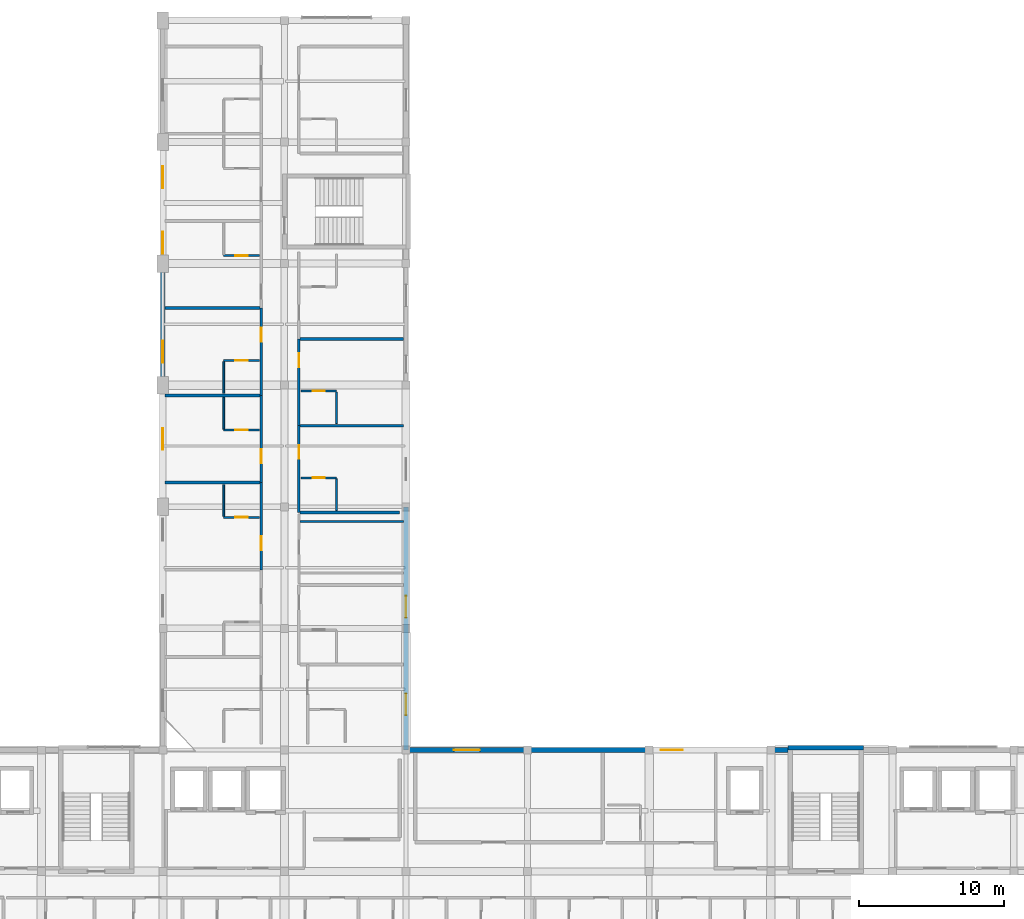
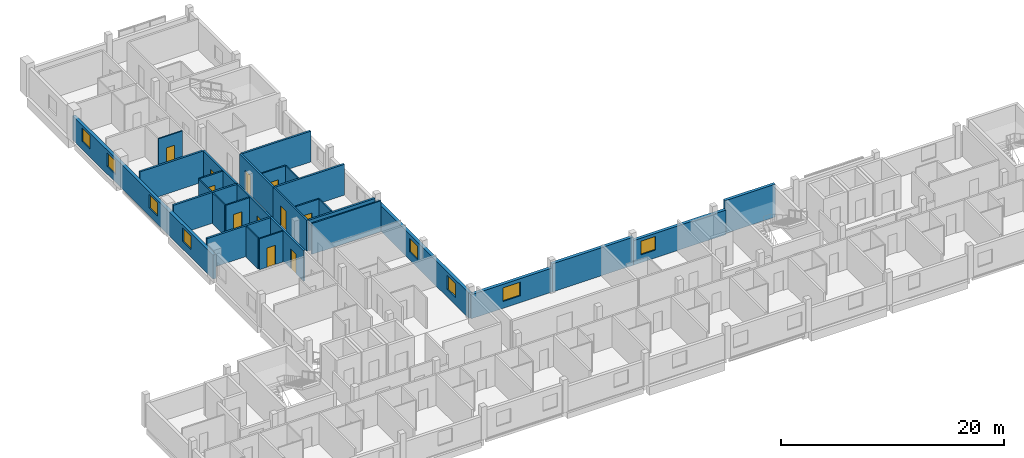
# One storey, part 13 of 20: 29 walls, 11 doors, 8 windows, 19 openings.
"""IFC4 building model written with IfcOpenShell, lengths in metres."""

import ifcopenshell
import ifcopenshell.guid

model = None  # the IFC model being written
_history = None  # IfcOwnerHistory: only IFC2X3 demands one
_inside = {}  # id of a spatial element -> (the spatial element, [elements in it])
_under = {}  # id of a project, library or spatial element -> (it, [spatial elements below it])
_declared = {}  # id of a project -> (the project, [libraries it declares])
_typed = {}  # id of a type object -> (the type object, [elements of that type])
_made_of = {}  # id of a material, layer set ... -> (it, [elements and type objects made of it])


def new_model(schema):
    """Start an empty IFC model of exactly this schema.

    Asked for "IFC4X3", IfcOpenShell would pick the latest addendum, in which some entities
    have other attributes; the version numbers below select the first issue.
    IFC2X3 requires an IfcOwnerHistory on every rooted entity: one is made here for all.
    """
    global model, _history
    if schema == "IFC4X3":
        model = ifcopenshell.file(schema_version=(4, 3, 0, 0))
    else:
        model = ifcopenshell.file(schema=schema)
    _inside.clear()
    _under.clear()
    _declared.clear()
    _typed.clear()
    _made_of.clear()
    _history = None
    if model.schema == "IFC2X3":
        org = make("IfcOrganization", Name="unknown")
        user = make(
            "IfcPersonAndOrganization",
            ThePerson=make("IfcPerson", FamilyName="unknown"),
            TheOrganization=org,
        )
        app = make(
            "IfcApplication",
            ApplicationDeveloper=org,
            Version="unknown",
            ApplicationFullName="unknown",
            ApplicationIdentifier="unknown",
        )
        _history = make(
            "IfcOwnerHistory",
            OwningUser=user,
            OwningApplication=app,
            ChangeAction="ADDED",
            CreationDate=0,
        )
    return model


def make(cls, **values):
    """One entity of the class cls with the attributes given. An attribute that is None is left unset."""
    return model.create_entity(
        cls, **{name: value for name, value in values.items() if value is not None}
    )


def rooted(cls, **values):
    """An entity with a GlobalId (a new one), such as an element, a storey or a relation."""
    return make(cls, GlobalId=ifcopenshell.guid.new(), OwnerHistory=_history, **values)


def si_unit(unit_type, name, prefix=None):
    """IfcSIUnit, for example si_unit("LENGTHUNIT", "METRE", prefix="MILLI")."""
    return make("IfcSIUnit", UnitType=unit_type, Prefix=prefix, Name=name)


def derived_unit(unit_type, elements):
    """IfcDerivedUnit: a product of units, each with its exponent."""
    return make(
        "IfcDerivedUnit",
        Elements=[
            make("IfcDerivedUnitElement", Unit=unit, Exponent=power)
            for unit, power in elements
        ],
        UnitType=unit_type,
    )


def assignment(units):
    """IfcUnitAssignment: the units of a project."""
    return None if units is None else make("IfcUnitAssignment", Units=units)


def point(xyz):
    """IfcCartesianPoint."""
    return None if xyz is None else make("IfcCartesianPoint", Coordinates=xyz)


def direction(xyz):
    """IfcDirection."""
    return None if xyz is None else make("IfcDirection", DirectionRatios=xyz)


def frame(location, z_axis=None, x_axis=None):
    """IfcAxis2Placement3D, a coordinate frame: its origin and axes. An axis left out is left unset."""
    return make(
        "IfcAxis2Placement3D",
        Location=point(location),
        Axis=direction(z_axis),
        RefDirection=direction(x_axis),
    )


def frame_2d(location, x_axis=None):
    """IfcAxis2Placement2D, a coordinate frame in the plane: its origin and x axis."""
    return make(
        "IfcAxis2Placement2D", Location=point(location), RefDirection=direction(x_axis)
    )


def origin():
    """The frame at (0, 0, 0) with its axes left unset."""
    return frame((0.0, 0.0, 0.0))


def place(relative_to, where):
    """IfcLocalPlacement: puts the frame where relative to a parent placement (None: the world)."""
    return make(
        "IfcLocalPlacement", PlacementRelTo=relative_to, RelativePlacement=where
    )


def context(
    kind, dimensions, precision=None, world=None, true_north=None, identifier=None
):
    """IfcGeometricRepresentationContext, for example the 3D "Model" context."""
    return make(
        "IfcGeometricRepresentationContext",
        ContextIdentifier=identifier,
        ContextType=kind,
        CoordinateSpaceDimension=dimensions,
        Precision=precision,
        WorldCoordinateSystem=world,
        TrueNorth=true_north,
    )


def subcontext(parent, identifier, kind, view, scale=None):
    """IfcGeometricRepresentationSubContext, for example "Body" below "Model"."""
    return make(
        "IfcGeometricRepresentationSubContext",
        ContextIdentifier=identifier,
        ContextType=kind,
        ParentContext=parent,
        TargetScale=scale,
        TargetView=view,
    )


def project(units=None, contexts=None):
    """IfcProject with its units and contexts."""
    return rooted(
        "IfcProject",
        Name="project",
        RepresentationContexts=contexts,
        UnitsInContext=assignment(units),
    )


def spatial(cls, under=None, at=None, **own):
    """A site, building, storey or space (cls), placed at a placement, below another one or the project."""
    s = rooted(cls, ObjectPlacement=at, **own)
    if under is not None:
        _under.setdefault(under.id(), (under, []))[1].append(s)
    return s


def profile(cls, at=None, kind="AREA", **sizes):
    """A parametric profile (cls). Its sizes go by their IFC names, for example OverallWidth=200.0."""
    return make(cls, ProfileType=kind, Position=at, **sizes)


def rectangle(**sizes):
    """IfcRectangleProfileDef."""
    return profile("IfcRectangleProfileDef", **sizes)


def extrude(swept, where, along, depth):
    """IfcExtrudedAreaSolid: the profile swept, set in the frame where, extruded along a direction by depth."""
    return make(
        "IfcExtrudedAreaSolid",
        SweptArea=swept,
        Position=where,
        ExtrudedDirection=direction(along),
        Depth=depth,
    )


def shape(context_of_items, identifier, shape_type, items):
    """IfcShapeRepresentation: the items that make up one representation, for example the "Body"."""
    return make(
        "IfcShapeRepresentation",
        ContextOfItems=context_of_items,
        RepresentationIdentifier=identifier,
        RepresentationType=shape_type,
        Items=items,
    )


def material(Name=None, Category=None):
    """IfcMaterial."""
    return make("IfcMaterial", Name=Name, Category=Category)


def layer(
    of_material, thickness, ventilated=None, Name=None, Category=None, Priority=None
):
    """IfcMaterialLayer: one layer of a wall or slab, of a material (None: an air gap)."""
    return make(
        "IfcMaterialLayer",
        Material=of_material,
        LayerThickness=thickness,
        IsVentilated=ventilated,
        Name=Name,
        Category=Category,
        Priority=Priority,
    )


def layer_set(layers, Name=None):
    """IfcMaterialLayerSet."""
    return make("IfcMaterialLayerSet", MaterialLayers=layers, LayerSetName=Name)


def made_of(thing, what):
    """Note that an element or type object is made of a material, layer set ...; save() writes the relation."""
    if what is not None:
        _made_of.setdefault(what.id(), (what, []))[1].append(thing)
    return thing


def type_object(cls, material=None, **own):
    """A type object (cls), such as IfcWallType, which elements share."""
    return made_of(rooted(cls, **own), material)


def element(
    cls,
    number,
    at=None,
    inside=None,
    cuts=None,
    type_object=None,
    material=None,
    context=None,
    identifier="Body",
    shape_type=None,
    held_by="IfcProductDefinitionShape",
    body=None,
    shapes=None,
    **own,
):
    """One element of the class cls, such as IfcWall. Its Tag is "e" and its number.

    at: its placement. inside: the storey or other place that contains it. cuts: it is an
    opening in that element (IfcRelVoidsElement). A single representation is given by context,
    identifier, shape_type and body (its items); several are given by shapes. held_by: the class
    of the entity that holds the representations. save() writes the other relations.
    """
    e = rooted(cls, Tag="e%d" % number, ObjectPlacement=at, **own)
    if body is not None:
        shapes = [shape(context, identifier, shape_type, body)]
    if shapes is not None:
        e.Representation = make(held_by, Representations=shapes)
    if inside is not None:
        _inside.setdefault(inside.id(), (inside, []))[1].append(e)
    if cuts is not None:
        rooted(
            "IfcRelVoidsElement", RelatingBuildingElement=cuts, RelatedOpeningElement=e
        )
    if type_object is not None:
        _typed.setdefault(type_object.id(), (type_object, []))[1].append(e)
    return made_of(e, material)


def fill(opening, filler):
    """IfcRelFillsElement: the door or window that sits in an opening."""
    return rooted(
        "IfcRelFillsElement",
        RelatingOpeningElement=opening,
        RelatedBuildingElement=filler,
    )


def aggregate(whole, parts):
    """IfcRelAggregates: a whole, such as a stair, and the parts it consists of."""
    return rooted("IfcRelAggregates", RelatingObject=whole, RelatedObjects=parts)


def save(model, path):
    """Write the relations noted so far, then the file.

    IfcRelAggregates (storeys below a building ...), IfcRelContainedInSpatialStructure (elements
    in a storey), IfcRelDefinesByType, IfcRelAssociatesMaterial and IfcRelDeclares: one each for
    every whole, place, type object, material and project.
    """
    for whole, parts in _under.values():
        aggregate(whole, parts)
    for where, things in _inside.values():
        rooted(
            "IfcRelContainedInSpatialStructure",
            RelatedElements=things,
            RelatingStructure=where,
        )
    for kind, things in _typed.values():
        rooted("IfcRelDefinesByType", RelatedObjects=things, RelatingType=kind)
    for what, things in _made_of.values():
        rooted("IfcRelAssociatesMaterial", RelatedObjects=things, RelatingMaterial=what)
    for by, libraries in _declared.values():
        rooted("IfcRelDeclares", RelatingContext=by, RelatedDefinitions=libraries)
    model.write(path)


model = new_model("IFC4")

# Units and contexts
model_context = context("Model", 3, precision=1e-05, world=origin(), true_north=direction((0.0, 1.0)))
body_context = subcontext(model_context, "Body", "Model", "MODEL_VIEW")
ifc_project = project(units=[si_unit("LENGTHUNIT", "METRE"), si_unit("AREAUNIT", "SQUARE_METRE"), si_unit("VOLUMEUNIT", "CUBIC_METRE"), si_unit("PLANEANGLEUNIT", "RADIAN"), si_unit("MASSUNIT", "GRAM", prefix="KILO"), derived_unit("THERMALTRANSMITTANCEUNIT", [(si_unit("POWERUNIT", "WATT"), 1), (si_unit("LENGTHUNIT", "METRE"), -2), (si_unit("THERMODYNAMICTEMPERATUREUNIT", "KELVIN"), -1)])], contexts=[model_context])

# Site, building, storey
site_placement = place(None, origin())
site = spatial("IfcSite", under=ifc_project, at=site_placement, CompositionType="ELEMENT")
building_placement = place(site_placement, origin())
building = spatial("IfcBuilding", under=site, at=building_placement, Name="Barrovel Congress Hotel", CompositionType="ELEMENT")
storey_placement = place(building_placement, frame((0.0, 0.0, 36.300048828125)))
storey = spatial("IfcBuildingStorey", under=building, at=storey_placement, Name="L09", CompositionType="ELEMENT", Elevation=36.300048828125)

# Wall, opening, window
ifc_material_1 = material(Name="Fired Clay Brick Masonry", Category="masonry")
ifc_layer_1 = layer(ifc_material_1, 0.320068359375)
ifc_layer_set_1 = layer_set([ifc_layer_1], Name="Fired Clay Brick Masonry")
wall_type_1 = type_object("IfcWallType", Name="EW-BRK320", PredefinedType="STANDARD", material=ifc_layer_set_1)
wall_1_placement = place(storey_placement, frame((76.800048828125, 21.0, 0.0), z_axis=(0.0, 0.0, 1.0), x_axis=(-1.0, 0.0, 0.0)))
wall_1 = element("IfcWall", 1, at=wall_1_placement, inside=storey, type_object=wall_type_1, Name="EW:L09:HS-NE-3", PredefinedType="STANDARD", context=body_context, shape_type="SweptSolid", body=[
    extrude(rectangle(XDim=9.60009765625, YDim=0.320068359375, at=frame_2d((4.800048828125, 0.0))), origin(), (0.0, 0.0, 1.0), 2.679931640625),
])
opening_1_placement = place(wall_1_placement, frame((7.300048828125, 0.0, 0.85009765625)))
opening_1 = element("IfcOpeningElement", 2, at=opening_1_placement, cuts=wall_1, Name="Opening WN-07", PredefinedType="OPENING", context=body_context, shape_type="SweptSolid", body=[
    extrude(rectangle(XDim=1.5, YDim=1.5, at=frame_2d((0.75, 0.75))), frame((0.0, 0.169921875, 0.0), z_axis=(0.0, -1.0, 0.0), x_axis=(1.0, 0.0, 0.0)), (0.0, 0.0, 1.0), 0.340087890625),
])
ifc_material_2 = material(Name="Double Low-E Insulated Glazing", Category="glass")
window_type_1 = type_object("IfcWindowType", Name="WIN-WN-07", PartitioningType="SINGLE_PANEL", PredefinedType="WINDOW", material=ifc_material_2)
window_1_placement = place(opening_1_placement, origin())
window_1 = element("IfcWindow", 3, at=window_1_placement, inside=storey, type_object=window_type_1, Name="WIN:L09:U19", OverallHeight=1.5, OverallWidth=1.5, PartitioningType="SINGLE_PANEL", PredefinedType="WINDOW", context=body_context, shape_type="SweptSolid", body=[
    extrude(rectangle(XDim=1.5, YDim=1.5, at=frame_2d((0.75, 0.75))), frame((0.0, 0.030029296875, 0.0), z_axis=(0.0, -1.0, 0.0), x_axis=(1.0, 0.0, 0.0)), (0.0, 0.0, 1.0), 0.06005859375),
])
fill(opening_1, window_1)

# Wall, openings, windows
wall_2_placement = place(storey_placement, frame((33.60009765625, 63.0, 0.0), z_axis=(0.0, 0.0, 1.0), x_axis=(0.0, -1.0, 0.0)))
wall_2 = element("IfcWall", 4, at=wall_2_placement, inside=storey, type_object=wall_type_1, Name="EW:L09:HW-W", PredefinedType="STANDARD", context=body_context, shape_type="SweptSolid", body=[
    extrude(rectangle(XDim=25.199951171875, YDim=0.320068359375, at=frame_2d((12.60009765625, 0.0))), origin(), (0.0, 0.0, 1.0), 2.6298828125),
])
opening_2_placement = place(wall_2_placement, frame((19.762451171875, 0.0, 0.85009765625)))
opening_2 = element("IfcOpeningElement", 5, at=opening_2_placement, cuts=wall_2, Name="Opening WN-07", PredefinedType="OPENING", context=body_context, shape_type="SweptSolid", body=[
    extrude(rectangle(XDim=1.5, YDim=1.5, at=frame_2d((0.75, 0.75))), frame((0.0, 0.169921875, 0.0), z_axis=(0.0, -1.0, 0.0), x_axis=(1.0, 0.0, 0.0)), (0.0, 0.0, 1.0), 0.340087890625),
])
opening_3_placement = place(wall_2_placement, frame((13.737548828125, 0.0, 0.85009765625)))
opening_3 = element("IfcOpeningElement", 6, at=opening_3_placement, cuts=wall_2, Name="Opening WN-07", PredefinedType="OPENING", context=body_context, shape_type="SweptSolid", body=[
    extrude(rectangle(XDim=1.5, YDim=1.5, at=frame_2d((0.75, 0.75))), frame((0.0, 0.169921875, 0.0), z_axis=(0.0, -1.0, 0.0), x_axis=(1.0, 0.0, 0.0)), (0.0, 0.0, 1.0), 0.340087890625),
])
opening_4_placement = place(wall_2_placement, frame((6.21240234375, 0.0, 0.85009765625)))
opening_4 = element("IfcOpeningElement", 7, at=opening_4_placement, cuts=wall_2, Name="Opening WN-07", PredefinedType="OPENING", context=body_context, shape_type="SweptSolid", body=[
    extrude(rectangle(XDim=1.5, YDim=1.5, at=frame_2d((0.75, 0.75))), frame((0.0, 0.169921875, 0.0), z_axis=(0.0, -1.0, 0.0), x_axis=(1.0, 0.0, 0.0)), (0.0, 0.0, 1.0), 0.340087890625),
])
opening_5_placement = place(wall_2_placement, frame((1.6875, 0.0, 0.85009765625)))
opening_5 = element("IfcOpeningElement", 8, at=opening_5_placement, cuts=wall_2, Name="Opening WN-07", PredefinedType="OPENING", context=body_context, shape_type="SweptSolid", body=[
    extrude(rectangle(XDim=1.5, YDim=1.5, at=frame_2d((0.75, 0.75))), frame((0.0, 0.169921875, 0.0), z_axis=(0.0, -1.0, 0.0), x_axis=(1.0, 0.0, 0.0)), (0.0, 0.0, 1.0), 0.340087890625),
])
window_2_placement = place(opening_2_placement, origin())
window_2 = element("IfcWindow", 9, at=window_2_placement, inside=storey, type_object=window_type_1, Name="WIN:L09:U28", OverallHeight=1.5, OverallWidth=1.5, PartitioningType="SINGLE_PANEL", PredefinedType="WINDOW", context=body_context, shape_type="SweptSolid", body=[
    extrude(rectangle(XDim=1.5, YDim=1.5, at=frame_2d((0.75, 0.75))), frame((0.0, 0.030029296875, 0.0), z_axis=(0.0, -1.0, 0.0), x_axis=(1.0, 0.0, 0.0)), (0.0, 0.0, 1.0), 0.06005859375),
])
fill(opening_2, window_2)
window_3_placement = place(opening_3_placement, origin())
window_3 = element("IfcWindow", 10, at=window_3_placement, inside=storey, type_object=window_type_1, Name="WIN:L09:U29", OverallHeight=1.5, OverallWidth=1.5, PartitioningType="SINGLE_PANEL", PredefinedType="WINDOW", context=body_context, shape_type="SweptSolid", body=[
    extrude(rectangle(XDim=1.5, YDim=1.5, at=frame_2d((0.75, 0.75))), frame((0.0, 0.030029296875, 0.0), z_axis=(0.0, -1.0, 0.0), x_axis=(1.0, 0.0, 0.0)), (0.0, 0.0, 1.0), 0.06005859375),
])
fill(opening_3, window_3)
window_4_placement = place(opening_4_placement, origin())
window_4 = element("IfcWindow", 11, at=window_4_placement, inside=storey, type_object=window_type_1, Name="WIN:L09:U30", OverallHeight=1.5, OverallWidth=1.5, PartitioningType="SINGLE_PANEL", PredefinedType="WINDOW", context=body_context, shape_type="SweptSolid", body=[
    extrude(rectangle(XDim=1.5, YDim=1.5, at=frame_2d((0.75, 0.75))), frame((0.0, 0.030029296875, 0.0), z_axis=(0.0, -1.0, 0.0), x_axis=(1.0, 0.0, 0.0)), (0.0, 0.0, 1.0), 0.06005859375),
])
fill(opening_4, window_4)
window_5_placement = place(opening_5_placement, origin())
window_5 = element("IfcWindow", 12, at=window_5_placement, inside=storey, type_object=window_type_1, Name="WIN:L09:U31", OverallHeight=1.5, OverallWidth=1.5, PartitioningType="SINGLE_PANEL", PredefinedType="WINDOW", context=body_context, shape_type="SweptSolid", body=[
    extrude(rectangle(XDim=1.5, YDim=1.5, at=frame_2d((0.75, 0.75))), frame((0.0, 0.030029296875, 0.0), z_axis=(0.0, -1.0, 0.0), x_axis=(1.0, 0.0, 0.0)), (0.0, 0.0, 1.0), 0.06005859375),
])
fill(opening_5, window_5)

# Wall
wall_3_placement = place(storey_placement, frame((67.199951171875, 21.0, 0.0), z_axis=(0.0, 0.0, 1.0), x_axis=(-1.0, 0.0, 0.0)))
element("IfcWall", 13, at=wall_3_placement, inside=storey, type_object=wall_type_1, Name="EW:L09:HS-NE-3:P02", PredefinedType="STANDARD", context=body_context, shape_type="SweptSolid", body=[
    extrude(rectangle(XDim=8.39990234375, YDim=0.320068359375, at=frame_2d((4.199951171875, 0.0))), origin(), (0.0, 0.0, 1.0), 3.070068359375),
])

# Wall, opening, window
wall_4_placement = place(storey_placement, frame((58.800048828125, 21.0, 0.0), z_axis=(0.0, 0.0, 1.0), x_axis=(-1.0, 0.0, 0.0)))
wall_4 = element("IfcWall", 14, at=wall_4_placement, inside=storey, type_object=wall_type_1, Name="EW:L09:HS-NE-3:P03", PredefinedType="STANDARD", context=body_context, shape_type="SweptSolid", body=[
    extrude(rectangle(XDim=8.400146484375, YDim=0.320068359375, at=frame_2d((4.2001953125, 0.0))), origin(), (0.0, 0.0, 1.0), 2.6298828125),
])
opening_6_placement = place(wall_4_placement, frame((3.300048828125, 0.0, 0.75)))
opening_6 = element("IfcOpeningElement", 15, at=opening_6_placement, cuts=wall_4, Name="Opening WN-08", PredefinedType="OPENING", context=body_context, shape_type="SweptSolid", body=[
    extrude(rectangle(XDim=1.800048828125, YDim=1.5, at=frame_2d((0.89990234375, 0.75))), frame((0.0, 0.169921875, 0.0), z_axis=(0.0, -1.0, 0.0), x_axis=(1.0, 0.0, 0.0)), (0.0, 0.0, 1.0), 0.340087890625),
])
window_type_2 = type_object("IfcWindowType", Name="WIN-WN-08", PartitioningType="SINGLE_PANEL", PredefinedType="WINDOW", material=ifc_material_2)
window_6_placement = place(opening_6_placement, origin())
window_6 = element("IfcWindow", 16, at=window_6_placement, inside=storey, type_object=window_type_2, Name="WIN:L09:SALON", OverallHeight=1.5, OverallWidth=1.800048828125, PartitioningType="SINGLE_PANEL", PredefinedType="WINDOW", context=body_context, shape_type="SweptSolid", body=[
    extrude(rectangle(XDim=1.800048828125, YDim=1.5, at=frame_2d((0.89990234375, 0.75))), frame((0.0, 0.030029296875, 0.0), z_axis=(0.0, -1.0, 0.0), x_axis=(1.0, 0.0, 0.0)), (0.0, 0.0, 1.0), 0.06005859375),
])
fill(opening_6, window_6)

# Wall, openings, windows
wall_5_placement = place(storey_placement, frame((50.39990234375, 21.0, 0.0), z_axis=(0.0, 0.0, 1.0), x_axis=(0.0, 1.0, 0.0)))
wall_5 = element("IfcWall", 17, at=wall_5_placement, inside=storey, type_object=wall_type_1, Name="EW:L09:HW-E-1:P01", PredefinedType="STANDARD", context=body_context, shape_type="SweptSolid", body=[
    extrude(rectangle(XDim=16.800048828125, YDim=0.320068359375, at=frame_2d((8.39990234375, 0.0))), origin(), (0.0, 0.0, 1.0), 2.780029296875),
])
opening_7_placement = place(wall_5_placement, frame((2.39990234375, 0.0, 0.85009765625)))
opening_7 = element("IfcOpeningElement", 18, at=opening_7_placement, cuts=wall_5, Name="Opening WN-07", PredefinedType="OPENING", context=body_context, shape_type="SweptSolid", body=[
    extrude(rectangle(XDim=1.5, YDim=1.5, at=frame_2d((0.75, 0.75))), frame((0.0, 0.169921875, 0.0), z_axis=(0.0, -1.0, 0.0), x_axis=(1.0, 0.0, 0.0)), (0.0, 0.0, 1.0), 0.340087890625),
])
opening_8_placement = place(wall_5_placement, frame((9.14990234375, 0.0, 0.85009765625)))
opening_8 = element("IfcOpeningElement", 19, at=opening_8_placement, cuts=wall_5, Name="Opening WN-07", PredefinedType="OPENING", context=body_context, shape_type="SweptSolid", body=[
    extrude(rectangle(XDim=1.5, YDim=1.5, at=frame_2d((0.75, 0.75))), frame((0.0, 0.169921875, 0.0), z_axis=(0.0, -1.0, 0.0), x_axis=(1.0, 0.0, 0.0)), (0.0, 0.0, 1.0), 0.340087890625),
])
window_7_placement = place(opening_7_placement, origin())
window_7 = element("IfcWindow", 20, at=window_7_placement, inside=storey, type_object=window_type_1, Name="WIN:L09:U33", OverallHeight=1.5, OverallWidth=1.5, PartitioningType="SINGLE_PANEL", PredefinedType="WINDOW", context=body_context, shape_type="SweptSolid", body=[
    extrude(rectangle(XDim=1.5, YDim=1.5, at=frame_2d((0.75, 0.75))), frame((0.0, 0.030029296875, 0.0), z_axis=(0.0, -1.0, 0.0), x_axis=(1.0, 0.0, 0.0)), (0.0, 0.0, 1.0), 0.06005859375),
])
fill(opening_7, window_7)
window_8_placement = place(opening_8_placement, origin())
window_8 = element("IfcWindow", 21, at=window_8_placement, inside=storey, type_object=window_type_1, Name="WIN:L09:U34", OverallHeight=1.5, OverallWidth=1.5, PartitioningType="SINGLE_PANEL", PredefinedType="WINDOW", context=body_context, shape_type="SweptSolid", body=[
    extrude(rectangle(XDim=1.5, YDim=1.5, at=frame_2d((0.75, 0.75))), frame((0.0, 0.030029296875, 0.0), z_axis=(0.0, -1.0, 0.0), x_axis=(1.0, 0.0, 0.0)), (0.0, 0.0, 1.0), 0.06005859375),
])
fill(opening_8, window_8)

# Wall, opening, door
ifc_material_3 = material(Name="Gypsum Acoustic Stud", Category="gypsum")
ifc_layer_2 = layer(ifc_material_3, 0.179931640625)
ifc_layer_set_2 = layer_set([ifc_layer_2], Name="Gypsum Acoustic Stud")
wall_type_2 = type_object("IfcWallType", Name="PW-ACU-180", PredefinedType="PARTITIONING", material=ifc_layer_set_2)
wall_6_placement = place(storey_placement, frame((40.39990234375, 33.449951171875, 0.0), z_axis=(0.0, 0.0, 1.0), x_axis=(0.0, 1.0, 0.0)))
wall_6 = element("IfcWall", 22, at=wall_6_placement, inside=storey, type_object=wall_type_2, Name="PW:L09:U27:COR", PredefinedType="PARTITIONING", context=body_context, shape_type="SweptSolid", body=[
    extrude(rectangle(XDim=6.025146484375, YDim=0.179931640625, at=frame_2d((3.0126953125, 0.0))), origin(), (0.0, 0.0, 1.0), 3.375),
])
opening_9_placement = place(wall_6_placement, frame((1.347412109375, 0.0, 0.0)))
opening_9 = element("IfcOpeningElement", 23, at=opening_9_placement, cuts=wall_6, Name="Opening ID-HTL", PredefinedType="OPENING", context=body_context, shape_type="SweptSolid", body=[
    extrude(rectangle(XDim=0.9599609375, YDim=2.14990234375, at=frame_2d((0.47998046875, 1.074951171875))), frame((0.0, 0.10009765625, 0.0), z_axis=(0.0, -1.0, 0.0), x_axis=(1.0, 0.0, 0.0)), (0.0, 0.0, 1.0), 0.199951171875),
])
ifc_material_4 = material(Name="Solid Oak Acoustic Timber Door", Category="wood")
door_type_1 = type_object("IfcDoorType", Name="IDR-ID-HTL", OperationType="NOTDEFINED", PredefinedType="DOOR", material=ifc_material_4)
door_1_placement = place(opening_9_placement, origin())
door_1 = element("IfcDoor", 24, at=door_1_placement, inside=storey, type_object=door_type_1, Name="DR:L09:U27:ENT", OperationType="SINGLE_SWING_RIGHT", OverallHeight=2.14990234375, OverallWidth=0.9599609375, PredefinedType="DOOR", context=body_context, shape_type="SweptSolid", body=[
    extrude(rectangle(XDim=0.9599609375, YDim=2.14990234375, at=frame_2d((0.47998046875, 1.074951171875))), frame((0.0, 0.02490234375, 0.0), z_axis=(0.0, -1.0, 0.0), x_axis=(1.0, 0.0, 0.0)), (0.0, 0.0, 1.0), 0.050048828125),
])
fill(opening_9, door_1)

wall_7_placement = place(storey_placement, frame((40.39990234375, 39.47509765625, 0.0), z_axis=(0.0, 0.0, 1.0), x_axis=(0.0, 1.0, 0.0)))
wall_7 = element("IfcWall", 25, at=wall_7_placement, inside=storey, type_object=wall_type_2, Name="PW:L09:U28:COR", PredefinedType="PARTITIONING", context=body_context, shape_type="SweptSolid", body=[
    extrude(rectangle(XDim=6.02490234375, YDim=0.179931640625, at=frame_2d((3.012451171875, 0.0))), origin(), (0.0, 0.0, 1.0), 3.375),
])
opening_10_placement = place(wall_7_placement, frame((1.347412109375, 0.0, 0.0)))
opening_10 = element("IfcOpeningElement", 26, at=opening_10_placement, cuts=wall_7, Name="Opening ID-HTL", PredefinedType="OPENING", context=body_context, shape_type="SweptSolid", body=[
    extrude(rectangle(XDim=0.9599609375, YDim=2.14990234375, at=frame_2d((0.47998046875, 1.074951171875))), frame((0.0, 0.10009765625, 0.0), z_axis=(0.0, -1.0, 0.0), x_axis=(1.0, 0.0, 0.0)), (0.0, 0.0, 1.0), 0.199951171875),
])
door_2_placement = place(opening_10_placement, origin())
door_2 = element("IfcDoor", 27, at=door_2_placement, inside=storey, type_object=door_type_1, Name="DR:L09:U28:ENT", OperationType="SINGLE_SWING_RIGHT", OverallHeight=2.14990234375, OverallWidth=0.9599609375, PredefinedType="DOOR", context=body_context, shape_type="SweptSolid", body=[
    extrude(rectangle(XDim=0.9599609375, YDim=2.14990234375, at=frame_2d((0.47998046875, 1.074951171875))), frame((0.0, 0.02490234375, 0.0), z_axis=(0.0, -1.0, 0.0), x_axis=(1.0, 0.0, 0.0)), (0.0, 0.0, 1.0), 0.050048828125),
])
fill(opening_10, door_2)

wall_8_placement = place(storey_placement, frame((40.39990234375, 45.5, 0.0), z_axis=(0.0, 0.0, 1.0), x_axis=(0.0, 1.0, 0.0)))
wall_8 = element("IfcWall", 28, at=wall_8_placement, inside=storey, type_object=wall_type_2, Name="PW:L09:U29:COR", PredefinedType="PARTITIONING", context=body_context, shape_type="SweptSolid", body=[
    extrude(rectangle(XDim=6.02490234375, YDim=0.179931640625, at=frame_2d((3.012451171875, 0.0))), origin(), (0.0, 0.0, 1.0), 3.375),
])
opening_11_placement = place(wall_8_placement, frame((3.717529296875, 0.0, 0.0)))
opening_11 = element("IfcOpeningElement", 29, at=opening_11_placement, cuts=wall_8, Name="Opening ID-HTL", PredefinedType="OPENING", context=body_context, shape_type="SweptSolid", body=[
    extrude(rectangle(XDim=0.9599609375, YDim=2.14990234375, at=frame_2d((0.47998046875, 1.074951171875))), frame((0.0, 0.10009765625, 0.0), z_axis=(0.0, -1.0, 0.0), x_axis=(1.0, 0.0, 0.0)), (0.0, 0.0, 1.0), 0.199951171875),
])
door_3_placement = place(opening_11_placement, origin())
door_3 = element("IfcDoor", 30, at=door_3_placement, inside=storey, type_object=door_type_1, Name="DR:L09:U29:ENT", OperationType="SINGLE_SWING_RIGHT", OverallHeight=2.14990234375, OverallWidth=0.9599609375, PredefinedType="DOOR", context=body_context, shape_type="SweptSolid", body=[
    extrude(rectangle(XDim=0.9599609375, YDim=2.14990234375, at=frame_2d((0.47998046875, 1.074951171875))), frame((0.0, 0.02490234375, 0.0), z_axis=(0.0, -1.0, 0.0), x_axis=(1.0, 0.0, 0.0)), (0.0, 0.0, 1.0), 0.050048828125),
])
fill(opening_11, door_3)

wall_9_placement = place(storey_placement, frame((43.0, 37.39990234375, 0.0), z_axis=(0.0, 0.0, 1.0), x_axis=(0.0, 1.0, 0.0)))
wall_9 = element("IfcWall", 31, at=wall_9_placement, inside=storey, type_object=wall_type_2, Name="PW:L09:U35:COR", PredefinedType="PARTITIONING", context=body_context, shape_type="SweptSolid", body=[
    extrude(rectangle(XDim=6.0, YDim=0.179931640625, at=frame_2d((3.0, 0.0))), origin(), (0.0, 0.0, 1.0), 3.375),
])
opening_12_placement = place(wall_9_placement, frame((3.705078125, 0.0, 0.0)))
opening_12 = element("IfcOpeningElement", 32, at=opening_12_placement, cuts=wall_9, Name="Opening ID-HTL", PredefinedType="OPENING", context=body_context, shape_type="SweptSolid", body=[
    extrude(rectangle(XDim=0.9599609375, YDim=2.14990234375, at=frame_2d((0.47998046875, 1.074951171875))), frame((0.0, 0.10009765625, 0.0), z_axis=(0.0, -1.0, 0.0), x_axis=(1.0, 0.0, 0.0)), (0.0, 0.0, 1.0), 0.199951171875),
])
door_4_placement = place(opening_12_placement, origin())
door_4 = element("IfcDoor", 33, at=door_4_placement, inside=storey, type_object=door_type_1, Name="DR:L09:U35:ENT", OperationType="SINGLE_SWING_RIGHT", OverallHeight=2.14990234375, OverallWidth=0.9599609375, PredefinedType="DOOR", context=body_context, shape_type="SweptSolid", body=[
    extrude(rectangle(XDim=0.9599609375, YDim=2.14990234375, at=frame_2d((0.47998046875, 1.074951171875))), frame((0.0, 0.02490234375, 0.0), z_axis=(0.0, -1.0, 0.0), x_axis=(1.0, 0.0, 0.0)), (0.0, 0.0, 1.0), 0.050048828125),
])
fill(opening_12, door_4)

wall_10_placement = place(storey_placement, frame((43.0, 43.39990234375, 0.0), z_axis=(0.0, 0.0, 1.0), x_axis=(0.0, 1.0, 0.0)))
wall_10 = element("IfcWall", 34, at=wall_10_placement, inside=storey, type_object=wall_type_2, Name="PW:L09:U36:COR", PredefinedType="PARTITIONING", context=body_context, shape_type="SweptSolid", body=[
    extrude(rectangle(XDim=6.0, YDim=0.179931640625, at=frame_2d((3.0, 0.0))), origin(), (0.0, 0.0, 1.0), 3.375),
])
opening_13_placement = place(wall_10_placement, frame((4.054931640625, 0.0, 0.0)))
opening_13 = element("IfcOpeningElement", 35, at=opening_13_placement, cuts=wall_10, Name="Opening ID-HTL", PredefinedType="OPENING", context=body_context, shape_type="SweptSolid", body=[
    extrude(rectangle(XDim=0.9599609375, YDim=2.14990234375, at=frame_2d((0.47998046875, 1.074951171875))), frame((0.0, 0.10009765625, 0.0), z_axis=(0.0, -1.0, 0.0), x_axis=(1.0, 0.0, 0.0)), (0.0, 0.0, 1.0), 0.199951171875),
])
door_5_placement = place(opening_13_placement, origin())
door_5 = element("IfcDoor", 36, at=door_5_placement, inside=storey, type_object=door_type_1, Name="DR:L09:U36:ENT", OperationType="SINGLE_SWING_RIGHT", OverallHeight=2.14990234375, OverallWidth=0.9599609375, PredefinedType="DOOR", context=body_context, shape_type="SweptSolid", body=[
    extrude(rectangle(XDim=0.9599609375, YDim=2.14990234375, at=frame_2d((0.47998046875, 1.074951171875))), frame((0.0, 0.02490234375, 0.0), z_axis=(0.0, -1.0, 0.0), x_axis=(1.0, 0.0, 0.0)), (0.0, 0.0, 1.0), 0.050048828125),
])
fill(opening_13, door_5)

# Walls
ifc_layer_3 = layer(ifc_material_3, 0.1201171875)
ifc_layer_set_3 = layer_set([ifc_layer_3], Name="Gypsum Acoustic Stud")
wall_type_3 = type_object("IfcWallType", Name="PW-INT-120", PredefinedType="PARTITIONING", material=ifc_layer_set_3)
wall_11_placement = place(storey_placement, frame((37.800048828125, 37.14501953125, 0.0), z_axis=(0.0, 0.0, 1.0), x_axis=(0.0, 1.0, 0.0)))
element("IfcWall", 37, at=wall_11_placement, inside=storey, type_object=wall_type_3, Name="PW:L09:U27:B2", PredefinedType="PARTITIONING", context=body_context, shape_type="SweptSolid", body=[
    extrude(rectangle(XDim=2.18994140625, YDim=0.1201171875, at=frame_2d((1.094970703125, 0.0))), origin(), (0.0, 0.0, 1.0), 3.375),
])
for number, where, z_axis, x_axis, name in (
    (38, (37.800048828125, 43.169921875, 0.0), (0.0, 0.0, 1.0), (0.0, 1.0, 0.0), "PW:L09:U28:B2"),
    (39, (37.800048828125, 45.639892578125, 0.0), (0.0, 0.0, 1.0), (0.0, 1.0, 0.0), "PW:L09:U29:B2"),
):
    element("IfcWall", number, at=place(storey_placement, frame(where, z_axis=z_axis, x_axis=x_axis)), inside=storey, type_object=wall_type_3, Name=name, PredefinedType="PARTITIONING", context=body_context, shape_type="SweptSolid", body=[
        extrude(rectangle(XDim=2.190185546875, YDim=0.1201171875, at=frame_2d((1.09521484375, 0.0))), origin(), (0.0, 0.0, 1.0), 3.375),
    ])
for number, where, z_axis, x_axis, name in (
    (40, (45.60009765625, 37.5400390625, 0.0), (0.0, 0.0, 1.0), (0.0, 1.0, 0.0), "PW:L09:U35:B2"),
    (41, (45.60009765625, 43.5400390625, 0.0), (0.0, 0.0, 1.0), (0.0, 1.0, 0.0), "PW:L09:U36:B2"),
):
    element("IfcWall", number, at=place(storey_placement, frame(where, z_axis=z_axis, x_axis=x_axis)), inside=storey, type_object=wall_type_3, Name=name, PredefinedType="PARTITIONING", context=body_context, shape_type="SweptSolid", body=[
        extrude(rectangle(XDim=2.18994140625, YDim=0.1201171875, at=frame_2d((1.094970703125, 0.0))), origin(), (0.0, 0.0, 1.0), 3.375),
    ])
ifc_layer_4 = layer(ifc_material_1, 0.199951171875)
ifc_layer_set_4 = layer_set([ifc_layer_4], Name="Fired Clay Brick Masonry")
wall_type_4 = type_object("IfcWallType", Name="PW-MAS-200", PredefinedType="PARTITIONING", material=ifc_layer_set_4)
for number, where, z_axis, x_axis, name in (
    (42, (33.760009765625, 39.47509765625, 0.0), (0.0, 0.0, 1.0), (1.0, 0.0, 0.0), "PW:L09:U27:DEM"),
    (43, (33.760009765625, 45.5, 0.0), (0.0, 0.0, 1.0), (1.0, 0.0, 0.0), "PW:L09:U28:DEM"),
    (44, (33.760009765625, 51.52490234375, 0.0), (0.0, 0.0, 1.0), (1.0, 0.0, 0.0), "PW:L09:U29:DEM"),
):
    element("IfcWall", number, at=place(storey_placement, frame(where, z_axis=z_axis, x_axis=x_axis)), inside=storey, type_object=wall_type_4, Name=name, PredefinedType="PARTITIONING", context=body_context, shape_type="SweptSolid", body=[
        extrude(rectangle(XDim=6.550048828125, YDim=0.199951171875, at=frame_2d((3.27490234375, 0.0))), origin(), (0.0, 0.0, 1.0), 3.375),
    ])
wall_12_placement = place(storey_placement, frame((43.090087890625, 37.39990234375, 0.0), z_axis=(0.0, 0.0, 1.0), x_axis=(1.0, 0.0, 0.0)))
element("IfcWall", 45, at=wall_12_placement, inside=storey, type_object=wall_type_4, Name="PW:L09:U35:DEM0", PredefinedType="PARTITIONING", context=body_context, shape_type="SweptSolid", body=[
    extrude(rectangle(XDim=6.85986328125, YDim=0.199951171875, at=frame_2d((3.429931640625, 0.0))), origin(), (0.0, 0.0, 1.0), 3.375),
])
for number, where, z_axis, x_axis, name in (
    (46, (43.090087890625, 43.39990234375, 0.0), (0.0, 0.0, 1.0), (1.0, 0.0, 0.0), "PW:L09:U35:DEM"),
    (47, (43.090087890625, 49.39990234375, 0.0), (0.0, 0.0, 1.0), (1.0, 0.0, 0.0), "PW:L09:U36:DEM"),
):
    element("IfcWall", number, at=place(storey_placement, frame(where, z_axis=z_axis, x_axis=x_axis)), inside=storey, type_object=wall_type_4, Name=name, PredefinedType="PARTITIONING", context=body_context, shape_type="SweptSolid", body=[
        extrude(rectangle(XDim=7.14990234375, YDim=0.199951171875, at=frame_2d((3.574951171875, 0.0))), origin(), (0.0, 0.0, 1.0), 3.375),
    ])

# Wall, opening, door
ifc_material_5 = material(Name="Gypsum Moisture Board", Category="gypsum")
ifc_layer_5 = layer(ifc_material_5, 0.139892578125)
ifc_layer_set_5 = layer_set([ifc_layer_5], Name="Gypsum Moisture Board")
wall_type_5 = type_object("IfcWallType", Name="PW-WET-140", PredefinedType="PARTITIONING", material=ifc_layer_set_5)
wall_13_placement = place(storey_placement, frame((37.800048828125, 37.074951171875, 0.0), z_axis=(0.0, 0.0, 1.0), x_axis=(1.0, 0.0, 0.0)))
wall_13 = element("IfcWall", 48, at=wall_13_placement, inside=storey, type_object=wall_type_5, Name="PW:L09:U27:B1", PredefinedType="PARTITIONING", context=body_context, shape_type="SweptSolid", body=[
    extrude(rectangle(XDim=2.4599609375, YDim=0.139892578125, at=frame_2d((1.22998046875, 0.0))), origin(), (0.0, 0.0, 1.0), 3.375),
])
opening_14_placement = place(wall_13_placement, frame((0.800048828125, 0.0, 0.0)))
opening_14 = element("IfcOpeningElement", 49, at=opening_14_placement, cuts=wall_13, Name="Opening ID-ENS", PredefinedType="OPENING", context=body_context, shape_type="SweptSolid", body=[
    extrude(rectangle(XDim=0.860107421875, YDim=2.10009765625, at=frame_2d((0.43017578125, 1.050048828125))), frame((0.0, 0.080078125, 0.0), z_axis=(0.0, -1.0, 0.0), x_axis=(1.0, 0.0, 0.0)), (0.0, 0.0, 1.0), 0.159912109375),
])
ifc_material_6 = material(Name="Lacquered Timber Moisture Door", Category="wood")
door_type_2 = type_object("IfcDoorType", Name="IDR-ID-ENS", OperationType="NOTDEFINED", PredefinedType="DOOR", material=ifc_material_6)
door_6_placement = place(opening_14_placement, origin())
door_6 = element("IfcDoor", 50, at=door_6_placement, inside=storey, type_object=door_type_2, Name="DR:L09:U27:ENS", OperationType="SINGLE_SWING_LEFT", OverallHeight=2.10009765625, OverallWidth=0.860107421875, PredefinedType="DOOR", context=body_context, shape_type="SweptSolid", body=[
    extrude(rectangle(XDim=0.860107421875, YDim=2.10009765625, at=frame_2d((0.43017578125, 1.050048828125))), frame((0.0, 0.02490234375, 0.0), z_axis=(0.0, -1.0, 0.0), x_axis=(1.0, 0.0, 0.0)), (0.0, 0.0, 1.0), 0.050048828125),
])
fill(opening_14, door_6)

wall_14_placement = place(storey_placement, frame((37.800048828125, 43.10009765625, 0.0), z_axis=(0.0, 0.0, 1.0), x_axis=(1.0, 0.0, 0.0)))
wall_14 = element("IfcWall", 51, at=wall_14_placement, inside=storey, type_object=wall_type_5, Name="PW:L09:U28:B1", PredefinedType="PARTITIONING", context=body_context, shape_type="SweptSolid", body=[
    extrude(rectangle(XDim=2.4599609375, YDim=0.139892578125, at=frame_2d((1.22998046875, 0.0))), origin(), (0.0, 0.0, 1.0), 3.375),
])
opening_15_placement = place(wall_14_placement, frame((0.800048828125, 0.0, 0.0)))
opening_15 = element("IfcOpeningElement", 52, at=opening_15_placement, cuts=wall_14, Name="Opening ID-ENS", PredefinedType="OPENING", context=body_context, shape_type="SweptSolid", body=[
    extrude(rectangle(XDim=0.860107421875, YDim=2.10009765625, at=frame_2d((0.43017578125, 1.050048828125))), frame((0.0, 0.080078125, 0.0), z_axis=(0.0, -1.0, 0.0), x_axis=(1.0, 0.0, 0.0)), (0.0, 0.0, 1.0), 0.159912109375),
])
door_7_placement = place(opening_15_placement, origin())
door_7 = element("IfcDoor", 53, at=door_7_placement, inside=storey, type_object=door_type_2, Name="DR:L09:U28:ENS", OperationType="SINGLE_SWING_LEFT", OverallHeight=2.10009765625, OverallWidth=0.860107421875, PredefinedType="DOOR", context=body_context, shape_type="SweptSolid", body=[
    extrude(rectangle(XDim=0.860107421875, YDim=2.10009765625, at=frame_2d((0.43017578125, 1.050048828125))), frame((0.0, 0.02490234375, 0.0), z_axis=(0.0, -1.0, 0.0), x_axis=(1.0, 0.0, 0.0)), (0.0, 0.0, 1.0), 0.050048828125),
])
fill(opening_15, door_7)

wall_15_placement = place(storey_placement, frame((37.800048828125, 47.89990234375, 0.0), z_axis=(0.0, 0.0, 1.0), x_axis=(1.0, 0.0, 0.0)))
wall_15 = element("IfcWall", 54, at=wall_15_placement, inside=storey, type_object=wall_type_5, Name="PW:L09:U29:B1", PredefinedType="PARTITIONING", context=body_context, shape_type="SweptSolid", body=[
    extrude(rectangle(XDim=2.4599609375, YDim=0.139892578125, at=frame_2d((1.22998046875, 0.0))), origin(), (0.0, 0.0, 1.0), 3.375),
])
opening_16_placement = place(wall_15_placement, frame((0.800048828125, 0.0, 0.0)))
opening_16 = element("IfcOpeningElement", 55, at=opening_16_placement, cuts=wall_15, Name="Opening ID-ENS", PredefinedType="OPENING", context=body_context, shape_type="SweptSolid", body=[
    extrude(rectangle(XDim=0.860107421875, YDim=2.10009765625, at=frame_2d((0.43017578125, 1.050048828125))), frame((0.0, 0.080078125, 0.0), z_axis=(0.0, -1.0, 0.0), x_axis=(1.0, 0.0, 0.0)), (0.0, 0.0, 1.0), 0.159912109375),
])
door_8_placement = place(opening_16_placement, origin())
door_8 = element("IfcDoor", 56, at=door_8_placement, inside=storey, type_object=door_type_2, Name="DR:L09:U29:ENS", OperationType="SINGLE_SWING_LEFT", OverallHeight=2.10009765625, OverallWidth=0.860107421875, PredefinedType="DOOR", context=body_context, shape_type="SweptSolid", body=[
    extrude(rectangle(XDim=0.860107421875, YDim=2.10009765625, at=frame_2d((0.43017578125, 1.050048828125))), frame((0.0, 0.02490234375, 0.0), z_axis=(0.0, -1.0, 0.0), x_axis=(1.0, 0.0, 0.0)), (0.0, 0.0, 1.0), 0.050048828125),
])
fill(opening_16, door_8)

wall_16_placement = place(storey_placement, frame((37.800048828125, 55.14990234375, 0.0), z_axis=(0.0, 0.0, 1.0), x_axis=(1.0, 0.0, 0.0)))
wall_16 = element("IfcWall", 57, at=wall_16_placement, inside=storey, type_object=wall_type_5, Name="PW:L09:U30:B1", PredefinedType="PARTITIONING", context=body_context, shape_type="SweptSolid", body=[
    extrude(rectangle(XDim=2.4599609375, YDim=0.139892578125, at=frame_2d((1.22998046875, 0.0))), origin(), (0.0, 0.0, 1.0), 3.375),
])
opening_17_placement = place(wall_16_placement, frame((0.800048828125, 0.0, 0.0)))
opening_17 = element("IfcOpeningElement", 58, at=opening_17_placement, cuts=wall_16, Name="Opening ID-ENS", PredefinedType="OPENING", context=body_context, shape_type="SweptSolid", body=[
    extrude(rectangle(XDim=0.860107421875, YDim=2.10009765625, at=frame_2d((0.43017578125, 1.050048828125))), frame((0.0, 0.080078125, 0.0), z_axis=(0.0, -1.0, 0.0), x_axis=(1.0, 0.0, 0.0)), (0.0, 0.0, 1.0), 0.159912109375),
])
door_9_placement = place(opening_17_placement, origin())
door_9 = element("IfcDoor", 59, at=door_9_placement, inside=storey, type_object=door_type_2, Name="DR:L09:U30:ENS", OperationType="SINGLE_SWING_LEFT", OverallHeight=2.10009765625, OverallWidth=0.860107421875, PredefinedType="DOOR", context=body_context, shape_type="SweptSolid", body=[
    extrude(rectangle(XDim=0.860107421875, YDim=2.10009765625, at=frame_2d((0.43017578125, 1.050048828125))), frame((0.0, 0.02490234375, 0.0), z_axis=(0.0, -1.0, 0.0), x_axis=(1.0, 0.0, 0.0)), (0.0, 0.0, 1.0), 0.050048828125),
])
fill(opening_17, door_9)

wall_17_placement = place(storey_placement, frame((43.139892578125, 39.800048828125, 0.0), z_axis=(0.0, 0.0, 1.0), x_axis=(1.0, 0.0, 0.0)))
wall_17 = element("IfcWall", 60, at=wall_17_placement, inside=storey, type_object=wall_type_5, Name="PW:L09:U35:B1", PredefinedType="PARTITIONING", context=body_context, shape_type="SweptSolid", body=[
    extrude(rectangle(XDim=2.460205078125, YDim=0.139892578125, at=frame_2d((1.22998046875, 0.0))), origin(), (0.0, 0.0, 1.0), 3.375),
])
opening_18_placement = place(wall_17_placement, frame((0.800048828125, 0.0, 0.0)))
opening_18 = element("IfcOpeningElement", 61, at=opening_18_placement, cuts=wall_17, Name="Opening ID-ENS", PredefinedType="OPENING", context=body_context, shape_type="SweptSolid", body=[
    extrude(rectangle(XDim=0.860107421875, YDim=2.10009765625, at=frame_2d((0.43017578125, 1.050048828125))), frame((0.0, 0.080078125, 0.0), z_axis=(0.0, -1.0, 0.0), x_axis=(1.0, 0.0, 0.0)), (0.0, 0.0, 1.0), 0.159912109375),
])
door_10_placement = place(opening_18_placement, origin())
door_10 = element("IfcDoor", 62, at=door_10_placement, inside=storey, type_object=door_type_2, Name="DR:L09:U35:ENS", OperationType="SINGLE_SWING_LEFT", OverallHeight=2.10009765625, OverallWidth=0.860107421875, PredefinedType="DOOR", context=body_context, shape_type="SweptSolid", body=[
    extrude(rectangle(XDim=0.860107421875, YDim=2.10009765625, at=frame_2d((0.43017578125, 1.050048828125))), frame((0.0, 0.02490234375, 0.0), z_axis=(0.0, -1.0, 0.0), x_axis=(1.0, 0.0, 0.0)), (0.0, 0.0, 1.0), 0.050048828125),
])
fill(opening_18, door_10)

wall_18_placement = place(storey_placement, frame((43.139892578125, 45.800048828125, 0.0), z_axis=(0.0, 0.0, 1.0), x_axis=(1.0, 0.0, 0.0)))
wall_18 = element("IfcWall", 63, at=wall_18_placement, inside=storey, type_object=wall_type_5, Name="PW:L09:U36:B1", PredefinedType="PARTITIONING", context=body_context, shape_type="SweptSolid", body=[
    extrude(rectangle(XDim=2.460205078125, YDim=0.139892578125, at=frame_2d((1.22998046875, 0.0))), origin(), (0.0, 0.0, 1.0), 3.375),
])
opening_19_placement = place(wall_18_placement, frame((0.800048828125, 0.0, 0.0)))
opening_19 = element("IfcOpeningElement", 64, at=opening_19_placement, cuts=wall_18, Name="Opening ID-ENS", PredefinedType="OPENING", context=body_context, shape_type="SweptSolid", body=[
    extrude(rectangle(XDim=0.860107421875, YDim=2.10009765625, at=frame_2d((0.43017578125, 1.050048828125))), frame((0.0, 0.080078125, 0.0), z_axis=(0.0, -1.0, 0.0), x_axis=(1.0, 0.0, 0.0)), (0.0, 0.0, 1.0), 0.159912109375),
])
door_11_placement = place(opening_19_placement, origin())
door_11 = element("IfcDoor", 65, at=door_11_placement, inside=storey, type_object=door_type_2, Name="DR:L09:U36:ENS", OperationType="SINGLE_SWING_LEFT", OverallHeight=2.10009765625, OverallWidth=0.860107421875, PredefinedType="DOOR", context=body_context, shape_type="SweptSolid", body=[
    extrude(rectangle(XDim=0.860107421875, YDim=2.10009765625, at=frame_2d((0.43017578125, 1.050048828125))), frame((0.0, 0.02490234375, 0.0), z_axis=(0.0, -1.0, 0.0), x_axis=(1.0, 0.0, 0.0)), (0.0, 0.0, 1.0), 0.050048828125),
])
fill(opening_19, door_11)

# Walls
wall_19_placement = place(storey_placement, frame((43.070068359375, 36.780029296875, 0.0), z_axis=(0.0, 0.0, 1.0), x_axis=(1.0, 0.0, 0.0)))
element("IfcWall", 66, at=wall_19_placement, inside=storey, type_object=wall_type_5, Name="RW:SP:L09:WC-A:N", PredefinedType="PARTITIONING", context=body_context, shape_type="SweptSolid", body=[
    extrude(rectangle(XDim=7.169921875, YDim=0.139892578125, at=frame_2d((3.5849609375, 0.0))), origin(), (0.0, 0.0, 1.0), 3.375),
])
ifc_material_7 = material(Name="Concrete C40", Category="concrete")
ifc_layer_6 = layer(ifc_material_7, 0.300048828125)
ifc_layer_set_6 = layer_set([ifc_layer_6], Name="Concrete C40")
wall_type_6 = type_object("IfcWallType", Name="SW-C40-300", PredefinedType="SHEAR", material=ifc_layer_set_6)
wall_20_placement = place(storey_placement, frame((82.0, 21.14990234375, 0.0), z_axis=(0.0, 0.0, 1.0), x_axis=(-1.0, 0.0, 0.0)))
element("IfcWall", 67, at=wall_20_placement, inside=storey, type_object=wall_type_6, Name="SHW:XS-02:L09:N", PredefinedType="SHEAR", context=body_context, shape_type="SweptSolid", body=[
    extrude(rectangle(XDim=5.199951171875, YDim=0.300048828125, at=frame_2d((2.60009765625, 0.0))), origin(), (0.0, 0.0, 1.0), 3.599853515625),
])

save(model, "model.ifc")
